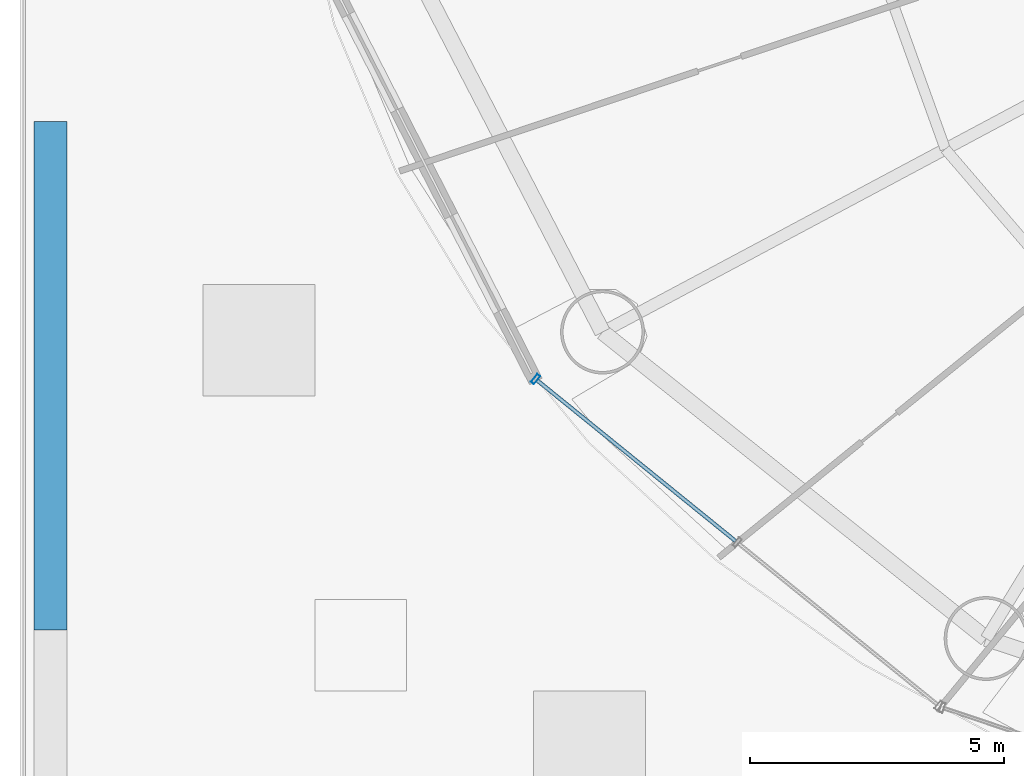
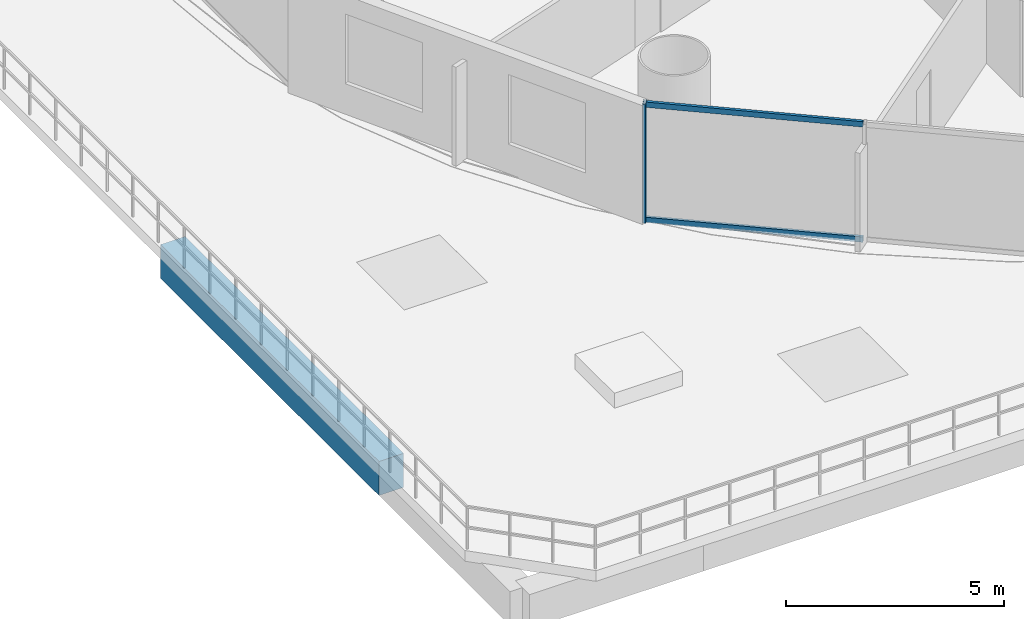
# One storey, part 3 of 37: 3 members, 1 beam, 1 element without a shape of its own.
"""IFC4 building model written with IfcOpenShell, lengths in metres."""

from ifc_helpers import new_model, si_unit, direction, frame, origin, origin_2d, place, context, subcontext, project, spatial, rectangle, hollow_rectangle, extrude, source, transform, mapped, material, material_profile, profile_set, type_object, element, aggregate, save


model = new_model("IFC4")

# Units and contexts
model_context = context("Model", 3, precision=1e-05, world=origin(), true_north=direction((-0.2419218956, 0.970295726276)))
body_context = subcontext(model_context, "Body", "Model", "MODEL_VIEW")
ifc_project = project(units=[si_unit("LENGTHUNIT", "METRE"), si_unit("AREAUNIT", "SQUARE_METRE"), si_unit("VOLUMEUNIT", "CUBIC_METRE"), si_unit("PLANEANGLEUNIT", "RADIAN"), si_unit("MASSUNIT", "GRAM", prefix="KILO")], contexts=[model_context])

# Site, building, storey
site_placement = place(None, origin())
site = spatial("IfcSite", under=ifc_project, at=site_placement, CompositionType="ELEMENT")
building_placement = place(site_placement, origin())
building = spatial("IfcBuilding", under=site, at=building_placement, Name="Cobrevalo Terracotta Tower", CompositionType="ELEMENT")
storey_placement = place(building_placement, frame((0.0, 0.0, 24.0)))
storey = spatial("IfcBuildingStorey", under=building, at=storey_placement, Name="L05", CompositionType="ELEMENT", Elevation=24.0)

# Beam
ifc_material_1 = material(Name="Concrete C50", Category="concrete")
ifc_material_profile_1 = material_profile(ifc_material_1, rectangle(XDim=0.64990234375, YDim=0.949951171875, at=origin_2d()), Name="RC BM 650x950")
ifc_profile_set_1 = profile_set([ifc_material_profile_1], Name="Concrete C50")
beam_type = type_object("IfcBeamType", Name="Structural Spandrel RC BM 650x950 (Concrete C50)", PredefinedType="SPANDREL", material=ifc_profile_set_1)
beam_placement = place(storey_placement, frame((4.39990234375, 8.800048828125, -0.7548828125), z_axis=(0.0, 1.0, 0.0), x_axis=(-1.0, 0.0, 0.0)))
element("IfcBeam", 1, at=beam_placement, inside=storey, type_object=beam_type, Name="L05 podium grid beam G1-GB to G1-GC", PredefinedType="SPANDREL", context=body_context, shape_type="SweptSolid", body=[
    extrude(rectangle(XDim=0.64990234375, YDim=0.949951171875, at=origin_2d()), origin(), (0.0, 0.0, 1.0), 10.0),
])

# Curtain wall, members
ifc_material_2 = material(Name="Anodized aluminium", Category="aluminium")
curtain_wall_type = type_object("IfcCurtainWallType", Name="Lower-tower unitised acoustic low-E curtain wall CW-U1", PredefinedType="NOTDEFINED", material=ifc_material_2)
curtain_wall_placement = place(storey_placement, origin())
curtain_wall = element("IfcCurtainWall", 2, at=curtain_wall_placement, inside=storey, type_object=curtain_wall_type, Name="L05 curtain wall CW-L05-S10", PredefinedType="NOTDEFINED")
ifc_material_profile_2 = material_profile(ifc_material_2, hollow_rectangle(XDim=0.074951171875, YDim=0.199951171875, WallThickness=0.0048828125, at=origin_2d()), Name="CWM 75x200")
ifc_profile_set_2 = profile_set([ifc_material_profile_2], Name="Anodized aluminium")
member_type_1 = type_object("IfcMemberType", Name="Lower/mid tower unitised mullion 75x200", PredefinedType="MULLION", material=ifc_profile_set_2)
shared_shape_1 = source(origin(), body_context, "Body", "SweptSolid", [
    extrude(hollow_rectangle(XDim=0.074951171875, YDim=0.199951171875, WallThickness=0.0048828125, at=origin_2d()), origin(), (0.0, 0.0, 1.0), 3.320068359375),
])
member_1_placement = place(storey_placement, frame((13.943359375, 13.735595703125, 0.0), z_axis=(0.0, 0.0, 1.0), x_axis=(0.777003153187, -0.629496703675, 0.0)))
member_1 = element("IfcMember", 3, at=member_1_placement, type_object=member_type_1, Name="CW-L05-S10 vertical mullion 01", PredefinedType="MULLION", context=body_context, shape_type="MappedRepresentation", body=[
    mapped(shared_shape_1, transform((0.0, 0.0, 0.0), scale=1.0)),
])
ifc_material_profile_3 = material_profile(ifc_material_2, hollow_rectangle(XDim=0.074951171875, YDim=0.14990234375, WallThickness=0.00439453125, at=origin_2d()), Name="CWT 75x150")
ifc_profile_set_3 = profile_set([ifc_material_profile_3], Name="Anodized aluminium")
member_type_2 = type_object("IfcMemberType", Name="Tower unitised aluminium transom 75x150", PredefinedType="USERDEFINED", material=ifc_profile_set_3)
shared_shape_2 = source(origin(), body_context, "Body", "SweptSolid", [
    extrude(hollow_rectangle(XDim=0.074951171875, YDim=0.14990234375, WallThickness=0.00439453125, at=origin_2d()), origin(), (0.0, 0.0, 1.0), 5.0234375),
])
member_2_placement = place(storey_placement, frame((13.974365234375, 13.71044921875, 0.050048828125), z_axis=(0.777022991593, -0.629472215857, 0.0), x_axis=(0.629472215857, 0.777022991593, 0.0)))
member_2 = element("IfcMember", 4, at=member_2_placement, type_object=member_type_2, Name="CW-L05-S10 transom B01-T1", ObjectType="TRANSOM", PredefinedType="USERDEFINED", context=body_context, shape_type="MappedRepresentation", body=[
    mapped(shared_shape_2, transform((0.0, 0.0, 0.0), scale=1.0)),
])
member_3_placement = place(storey_placement, frame((13.974365234375, 13.71044921875, 3.27001953125), z_axis=(0.777022991593, -0.629472215857, 0.0), x_axis=(0.629472215857, 0.777022991593, 0.0)))
member_3 = element("IfcMember", 5, at=member_3_placement, type_object=member_type_2, Name="CW-L05-S10 transom B01-T2", ObjectType="TRANSOM", PredefinedType="USERDEFINED", context=body_context, shape_type="MappedRepresentation", body=[
    mapped(shared_shape_2, transform((0.0, 0.0, 0.0), scale=1.0)),
])
aggregate(curtain_wall, [member_1, member_2, member_3])

save(model, "model.ifc")
